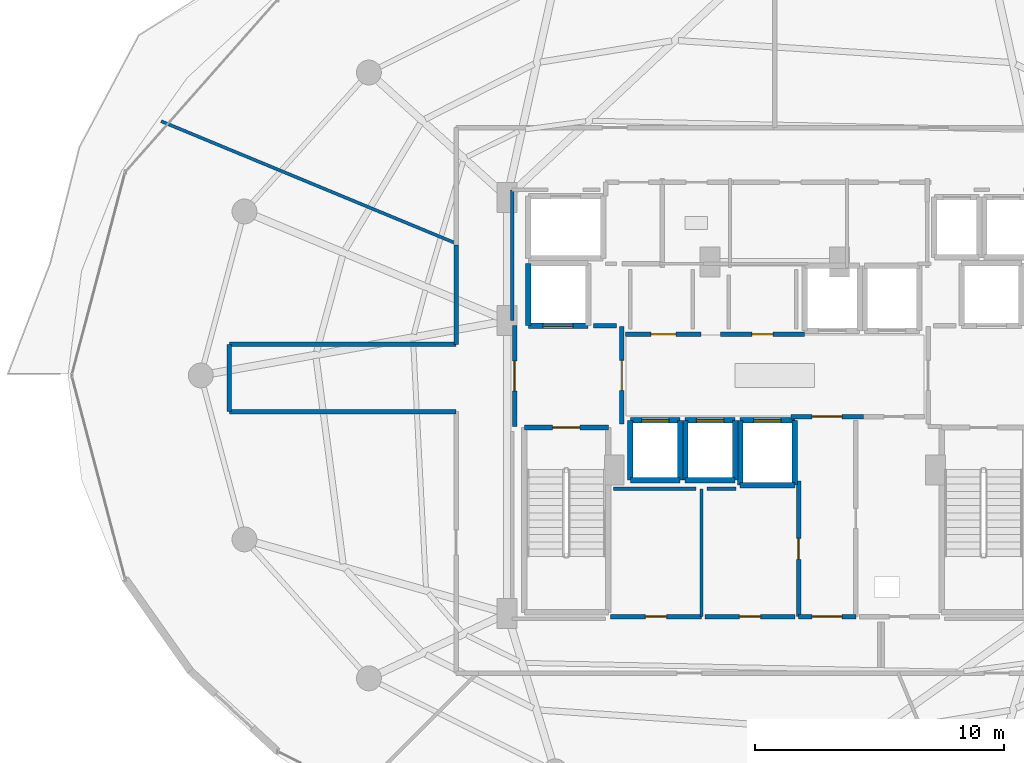
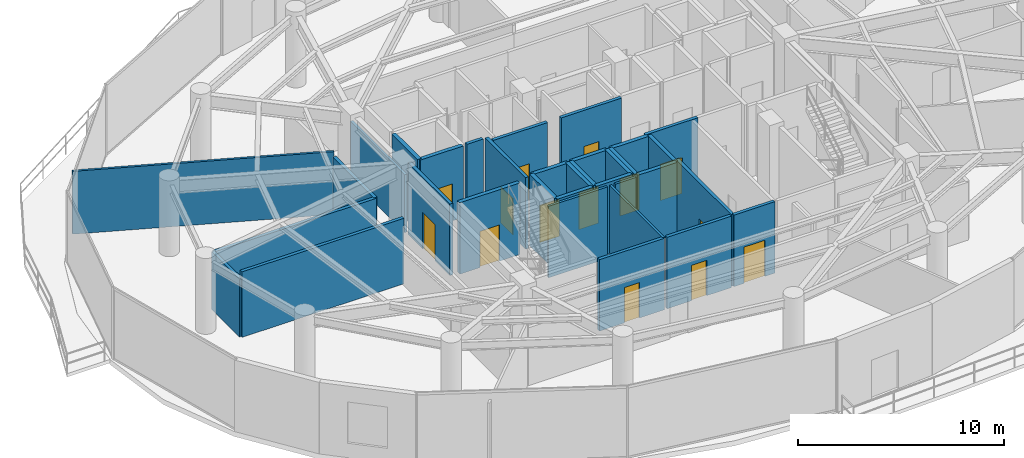
# One storey, part 24 of 31: 34 walls, 14 doors, 14 openings.
"""IFC4 building model written with IfcOpenShell, lengths in metres."""

from ifc_helpers import new_model, si_unit, direction, frame, frame_2d, origin, place, context, subcontext, project, spatial, rectangle, extrude, material, layer, layer_set, type_object, element, fill, save


model = new_model("IFC4")

# Units and contexts
model_context = context("Model", 3, precision=1e-05, world=origin(), true_north=direction((0.0, 1.0)))
body_context = subcontext(model_context, "Body", "Model", "MODEL_VIEW")
ifc_project = project(units=[si_unit("LENGTHUNIT", "METRE"), si_unit("AREAUNIT", "SQUARE_METRE"), si_unit("VOLUMEUNIT", "CUBIC_METRE"), si_unit("PLANEANGLEUNIT", "RADIAN"), si_unit("MASSUNIT", "GRAM", prefix="KILO")], contexts=[model_context])

# Site, building, storey
site_placement = place(None, origin())
site = spatial("IfcSite", under=ifc_project, at=site_placement, CompositionType="ELEMENT")
building_placement = place(site_placement, origin())
building = spatial("IfcBuilding", under=site, at=building_placement, Name="Vorneva Point Tower", CompositionType="ELEMENT")
storey_placement = place(building_placement, frame((0.0, 0.0, 174.60009765625)))
storey = spatial("IfcBuildingStorey", under=building, at=storey_placement, Name="L47", CompositionType="ELEMENT", Elevation=174.60009765625)

# Wall, opening, door
ifc_material_1 = material(Name="Concrete B60 (C50/60)", Category="concrete")
ifc_layer_1 = layer(ifc_material_1, 0.5)
ifc_layer_set_1 = layer_set([ifc_layer_1], Name="Concrete B60 (C50/60)")
wall_type_1 = type_object("IfcWallType", Name="WL-CORE-500", PredefinedType="SHEAR", material=ifc_layer_set_1)
wall_1_placement = place(storey_placement, frame((28.10009765625, 28.0, 0.0), z_axis=(0.0, 0.0, 1.0), x_axis=(1.0, 0.0, 0.0)))
wall_1 = element("IfcWall", 1, at=wall_1_placement, inside=storey, type_object=wall_type_1, Name="L47 Lift FFL1 Shaft Wall -Y", PredefinedType="SHEAR", context=body_context, shape_type="SweptSolid", body=[
    extrude(rectangle(XDim=2.39990234375, YDim=0.219970703125, at=frame_2d((1.199951171875, 0.0))), origin(), (0.0, 0.0, 1.0), 4.239990234375),
])
opening_1_placement = place(wall_1_placement, frame((0.60009765625, 0.0, 0.0)))
opening_1 = element("IfcOpeningElement", 2, at=opening_1_placement, cuts=wall_1, Name="Opening LD-02", PredefinedType="OPENING", context=body_context, shape_type="SweptSolid", body=[
    extrude(rectangle(XDim=1.199951171875, YDim=2.199951171875, at=frame_2d((0.60009765625, 1.10009765625))), frame((0.0, 0.125, 0.0), z_axis=(0.0, -1.0, 0.0), x_axis=(1.0, 0.0, 0.0)), (0.0, 0.0, 1.0), 0.249755859375),
])
ifc_material_2 = material(Name="Brushed stainless steel S304", Category="steel")
door_type_1 = type_object("IfcDoorType", Name="LD-FIRE-1200", OperationType="SLIDING_TO_LEFT", PredefinedType="DOOR", material=ifc_material_2)
door_1_placement = place(opening_1_placement, origin())
door_1 = element("IfcDoor", 3, at=door_1_placement, inside=storey, type_object=door_type_1, Name="L47 Lift FFL1 Sliding Landing Door", OperationType="SLIDING_TO_LEFT", OverallHeight=2.199951171875, OverallWidth=1.199951171875, PredefinedType="DOOR", context=body_context, shape_type="SweptSolid", body=[
    extrude(rectangle(XDim=1.199951171875, YDim=2.199951171875, at=frame_2d((0.60009765625, 1.10009765625))), frame((0.0, 0.02490234375, 0.0), z_axis=(0.0, -1.0, 0.0), x_axis=(1.0, 0.0, 0.0)), (0.0, 0.0, 1.0), 0.050048828125),
])
fill(opening_1, door_1)

# Walls
wall_2_placement = place(storey_placement, frame((28.10009765625, 30.5, 0.0), z_axis=(0.0, 0.0, 1.0), x_axis=(0.0, -1.0, 0.0)))
element("IfcWall", 4, at=wall_2_placement, inside=storey, type_object=wall_type_1, Name="L47 Lift FFL1 Shaft Wall -X", PredefinedType="SHEAR", context=body_context, shape_type="SweptSolid", body=[
    extrude(rectangle(XDim=2.5, YDim=0.219970703125, at=frame_2d((1.25, 0.0))), origin(), (0.0, 0.0, 1.0), 4.239990234375),
])
ifc_material_3 = material(Name="Fire-rated acoustic gypsum stud partition", Category="gypsum")
ifc_layer_2 = layer(ifc_material_3, 0.125)
ifc_layer_set_2 = layer_set([ifc_layer_2], Name="Fire-rated acoustic gypsum stud partition")
wall_type_2 = type_object("IfcWallType", Name="WL-PART-125", PredefinedType="PARTITIONING", material=ifc_layer_set_2)
wall_3_placement = place(storey_placement, frame((35.050048828125, 16.320068359375, 0.0), z_axis=(0.0, 0.0, 1.0), x_axis=(0.0, 1.0, 0.0)))
element("IfcWall", 5, at=wall_3_placement, inside=storey, type_object=wall_type_2, Name="L47 Interior Partition 026", PredefinedType="PARTITIONING", context=body_context, shape_type="SweptSolid", body=[
    extrude(rectangle(XDim=5.1298828125, YDim=0.125, at=frame_2d((2.56494140625, 0.0))), origin(), (0.0, 0.0, 1.0), 4.239990234375),
])
wall_4_placement = place(storey_placement, frame((13.360107421875, 36.2060546875, 0.0), z_axis=(0.0, 0.0, 1.0), x_axis=(0.923884253459, -0.382672034791, 0.0)))
element("IfcWall", 6, at=wall_4_placement, inside=storey, type_object=wall_type_2, Name="L47 Interior Partition 049", PredefinedType="PARTITIONING", context=body_context, shape_type="SweptSolid", body=[
    extrude(rectangle(XDim=12.815185546875, YDim=0.125, at=frame_2d((6.40771484375, 0.0))), origin(), (0.0, 0.0, 1.0), 3.727783203125),
])
ifc_layer_3 = layer(ifc_material_3, 0.139892578125)
ifc_layer_set_3 = layer_set([ifc_layer_3], Name="Fire-rated acoustic gypsum stud partition")
wall_type_3 = type_object("IfcWallType", Name="WL-PART-140", PredefinedType="PARTITIONING", material=ifc_layer_set_3)
wall_5_placement = place(storey_placement, frame((34.830078125, 21.449951171875, 0.0), z_axis=(0.0, 0.0, 1.0), x_axis=(-1.0, 0.0, 0.0)))
element("IfcWall", 7, at=wall_5_placement, inside=storey, type_object=wall_type_3, Name="L47 Interior Closure Partition 059", PredefinedType="PARTITIONING", context=body_context, shape_type="SweptSolid", body=[
    extrude(rectangle(XDim=3.300048828125, YDim=0.139892578125, at=frame_2d((1.64990234375, 0.0))), origin(), (0.0, 0.0, 1.0), 4.239990234375),
])
wall_6_placement = place(storey_placement, frame((36.43896484375, 21.449951171875, 0.0), z_axis=(0.0, 0.0, 1.0), x_axis=(-1.0, 0.0, 0.0)))
element("IfcWall", 8, at=wall_6_placement, inside=storey, type_object=wall_type_3, Name="L47 Interior Closure Partition 060", PredefinedType="PARTITIONING", context=body_context, shape_type="SweptSolid", body=[
    extrude(rectangle(XDim=1.158935546875, YDim=0.139892578125, at=frame_2d((0.57958984375, 0.0))), origin(), (0.0, 0.0, 1.0), 4.239990234375),
])
wall_7_placement = place(storey_placement, frame((27.449951171875, 33.449951171875, 0.0), z_axis=(0.0, 0.0, 1.0), x_axis=(0.0, -1.0, 0.0)))
element("IfcWall", 9, at=wall_7_placement, inside=storey, type_object=wall_type_3, Name="L47 Interior Closure Partition 071", PredefinedType="PARTITIONING", context=body_context, shape_type="SweptSolid", body=[
    extrude(rectangle(XDim=5.25390625, YDim=0.139892578125, at=frame_2d((2.626953125, 0.0))), origin(), (0.0, 0.0, 1.0), 3.431884765625),
])

# Wall, opening, door
ifc_material_4 = material(Name="Autoclaved aerated concrete blockwork", Category="masonry")
ifc_layer_4 = layer(ifc_material_4, 0.179931640625)
ifc_layer_set_4 = layer_set([ifc_layer_4], Name="Autoclaved aerated concrete blockwork")
wall_type_4 = type_object("IfcWallType", Name="WL-PART-180", PredefinedType="PARTITIONING", material=ifc_layer_set_4)
wall_8_placement = place(storey_placement, frame((31.85009765625, 24.044921875, 0.0), z_axis=(0.0, 0.0, 1.0), x_axis=(0.0, 1.0, 0.0)))
wall_8 = element("IfcWall", 10, at=wall_8_placement, inside=storey, type_object=wall_type_4, Name="L47 Interior Partition 001", PredefinedType="PARTITIONING", context=body_context, shape_type="SweptSolid", body=[
    extrude(rectangle(XDim=3.91015625, YDim=0.179931640625, at=frame_2d((1.955078125, 0.0))), origin(), (0.0, 0.0, 1.0), 4.239990234375),
])
opening_2_placement = place(wall_8_placement, frame((1.35498046875, 0.0, 0.0)))
opening_2 = element("IfcOpeningElement", 11, at=opening_2_placement, cuts=wall_8, Name="Opening FD-02", PredefinedType="OPENING", context=body_context, shape_type="SweptSolid", body=[
    extrude(rectangle(XDim=1.199951171875, YDim=2.14990234375, at=frame_2d((0.60009765625, 1.074951171875))), frame((0.0, 0.10498046875, 0.0), z_axis=(0.0, -1.0, 0.0), x_axis=(1.0, 0.0, 0.0)), (0.0, 0.0, 1.0), 0.209716796875),
])
ifc_material_5 = material(Name="Fire-rated powder-coated steel", Category="steel")
door_type_2 = type_object("IfcDoorType", Name="DR-FFL-1200", OperationType="NOTDEFINED", PredefinedType="DOOR", material=ifc_material_5)
door_2_placement = place(opening_2_placement, origin())
door_2 = element("IfcDoor", 12, at=door_2_placement, inside=storey, type_object=door_type_2, Name="L47 Door West Firefighting Lobby / Central Lift Lobby", OperationType="SINGLE_SWING_LEFT", OverallHeight=2.14990234375, OverallWidth=1.199951171875, PredefinedType="DOOR", context=body_context, shape_type="SweptSolid", body=[
    extrude(rectangle(XDim=1.199951171875, YDim=2.14990234375, at=frame_2d((0.60009765625, 1.074951171875))), frame((0.0, 0.02490234375, 0.0), z_axis=(0.0, -1.0, 0.0), x_axis=(1.0, 0.0, 0.0)), (0.0, 0.0, 1.0), 0.050048828125),
])
fill(opening_2, door_2)

wall_9_placement = place(storey_placement, frame((27.550048828125, 28.0, 0.0), z_axis=(0.0, 0.0, 1.0), x_axis=(0.0, -1.0, 0.0)))
wall_9 = element("IfcWall", 13, at=wall_9_placement, inside=storey, type_object=wall_type_4, Name="L47 Interior Partition 002", PredefinedType="PARTITIONING", context=body_context, shape_type="SweptSolid", body=[
    extrude(rectangle(XDim=4.050048828125, YDim=0.179931640625, at=frame_2d((2.02490234375, 0.0))), origin(), (0.0, 0.0, 1.0), 4.239990234375),
])
opening_3_placement = place(wall_9_placement, frame((1.425048828125, 0.0, 0.0)))
opening_3 = element("IfcOpeningElement", 14, at=opening_3_placement, cuts=wall_9, Name="Opening FD-02", PredefinedType="OPENING", context=body_context, shape_type="SweptSolid", body=[
    extrude(rectangle(XDim=1.199951171875, YDim=2.14990234375, at=frame_2d((0.60009765625, 1.074951171875))), frame((0.0, 0.10498046875, 0.0), z_axis=(0.0, -1.0, 0.0), x_axis=(1.0, 0.0, 0.0)), (0.0, 0.0, 1.0), 0.209716796875),
])
door_3_placement = place(opening_3_placement, origin())
door_3 = element("IfcDoor", 15, at=door_3_placement, inside=storey, type_object=door_type_2, Name="L47 Door West Firefighting Lobby / L47 Circulation Corridor", OperationType="SINGLE_SWING_RIGHT", OverallHeight=2.14990234375, OverallWidth=1.199951171875, PredefinedType="DOOR", context=body_context, shape_type="SweptSolid", body=[
    extrude(rectangle(XDim=1.199951171875, YDim=2.14990234375, at=frame_2d((0.60009765625, 1.074951171875))), frame((0.0, 0.02490234375, 0.0), z_axis=(0.0, -1.0, 0.0), x_axis=(1.0, 0.0, 0.0)), (0.0, 0.0, 1.0), 0.050048828125),
])
fill(opening_3, door_3)

wall_10_placement = place(storey_placement, frame((38.64501953125, 24.35009765625, 0.0), z_axis=(0.0, 0.0, 1.0), x_axis=(1.0, 0.0, 0.0)))
wall_10 = element("IfcWall", 16, at=wall_10_placement, inside=storey, type_object=wall_type_4, Name="L47 Interior Partition 010", PredefinedType="PARTITIONING", context=body_context, shape_type="SweptSolid", body=[
    extrude(rectangle(XDim=2.909912109375, YDim=0.179931640625, at=frame_2d((1.455078125, 0.0))), origin(), (0.0, 0.0, 1.0), 4.239990234375),
])
opening_4_placement = place(wall_10_placement, frame((0.85498046875, 0.0, 0.0)))
opening_4 = element("IfcOpeningElement", 17, at=opening_4_placement, cuts=wall_10, Name="Opening FD-02", PredefinedType="OPENING", context=body_context, shape_type="SweptSolid", body=[
    extrude(rectangle(XDim=1.199951171875, YDim=2.14990234375, at=frame_2d((0.60009765625, 1.074951171875))), frame((0.0, 0.10498046875, 0.0), z_axis=(0.0, -1.0, 0.0), x_axis=(1.0, 0.0, 0.0)), (0.0, 0.0, 1.0), 0.209716796875),
])
door_4_placement = place(opening_4_placement, origin())
door_4 = element("IfcDoor", 18, at=door_4_placement, inside=storey, type_object=door_type_2, Name="L47 Door Central Lift Lobby / Core Service Lobby", OperationType="SINGLE_SWING_RIGHT", OverallHeight=2.14990234375, OverallWidth=1.199951171875, PredefinedType="DOOR", context=body_context, shape_type="SweptSolid", body=[
    extrude(rectangle(XDim=1.199951171875, YDim=2.14990234375, at=frame_2d((0.60009765625, 1.074951171875))), frame((0.0, 0.02490234375, 0.0), z_axis=(0.0, -1.0, 0.0), x_axis=(1.0, 0.0, 0.0)), (0.0, 0.0, 1.0), 0.050048828125),
])
fill(opening_4, door_4)

wall_11_placement = place(storey_placement, frame((35.0400390625, 27.64990234375, 0.0), z_axis=(0.0, 0.0, 1.0), x_axis=(-1.0, 0.0, 0.0)))
wall_11 = element("IfcWall", 19, at=wall_11_placement, inside=storey, type_object=wall_type_4, Name="L47 Interior Partition 012", PredefinedType="PARTITIONING", context=body_context, shape_type="SweptSolid", body=[
    extrude(rectangle(XDim=3.0400390625, YDim=0.179931640625, at=frame_2d((1.52001953125, 0.0))), origin(), (0.0, 0.0, 1.0), 4.239990234375),
])
opening_5_placement = place(wall_11_placement, frame((1.02001953125, 0.0, 0.0)))
opening_5 = element("IfcOpeningElement", 20, at=opening_5_placement, cuts=wall_11, Name="Opening UD-01", PredefinedType="OPENING", context=body_context, shape_type="SweptSolid", body=[
    extrude(rectangle(XDim=1.0, YDim=2.14990234375, at=frame_2d((0.5, 1.074951171875))), frame((0.0, 0.10498046875, 0.0), z_axis=(0.0, -1.0, 0.0), x_axis=(1.0, 0.0, 0.0)), (0.0, 0.0, 1.0), 0.209716796875),
])
ifc_material_6 = material(Name="Engineered oak fire-rated door leaf", Category="wood")
door_type_3 = type_object("IfcDoorType", Name="DR-UNIT-1000", OperationType="NOTDEFINED", PredefinedType="DOOR", material=ifc_material_6)
door_5_placement = place(opening_5_placement, origin())
door_5 = element("IfcDoor", 21, at=door_5_placement, inside=storey, type_object=door_type_3, Name="L47 Door Central Lift Lobby / Reclaimed Core Lounge", OperationType="SINGLE_SWING_RIGHT", OverallHeight=2.14990234375, OverallWidth=1.0, PredefinedType="DOOR", context=body_context, shape_type="SweptSolid", body=[
    extrude(rectangle(XDim=1.0, YDim=2.14990234375, at=frame_2d((0.5, 1.074951171875))), frame((0.0, 0.02490234375, 0.0), z_axis=(0.0, -1.0, 0.0), x_axis=(1.0, 0.0, 0.0)), (0.0, 0.0, 1.0), 0.050048828125),
])
fill(opening_5, door_5)

wall_12_placement = place(storey_placement, frame((39.18994140625, 27.64990234375, 0.0), z_axis=(0.0, 0.0, 1.0), x_axis=(-1.0, 0.0, 0.0)))
wall_12 = element("IfcWall", 22, at=wall_12_placement, inside=storey, type_object=wall_type_4, Name="L47 Interior Partition 013", PredefinedType="PARTITIONING", context=body_context, shape_type="SweptSolid", body=[
    extrude(rectangle(XDim=3.3798828125, YDim=0.179931640625, at=frame_2d((1.68994140625, 0.0))), origin(), (0.0, 0.0, 1.0), 4.239990234375),
])
opening_6_placement = place(wall_12_placement, frame((1.264892578125, 0.0, 0.0)))
opening_6 = element("IfcOpeningElement", 23, at=opening_6_placement, cuts=wall_12, Name="Opening ID-02", PredefinedType="OPENING", context=body_context, shape_type="SweptSolid", body=[
    extrude(rectangle(XDim=0.85009765625, YDim=2.10009765625, at=frame_2d((0.425048828125, 1.050048828125))), frame((0.0, 0.10498046875, 0.0), z_axis=(0.0, -1.0, 0.0), x_axis=(1.0, 0.0, 0.0)), (0.0, 0.0, 1.0), 0.209716796875),
])
door_type_4 = type_object("IfcDoorType", Name="DR-BATH-850", OperationType="NOTDEFINED", PredefinedType="DOOR", material=ifc_material_6)
door_6_placement = place(opening_6_placement, origin())
door_6 = element("IfcDoor", 24, at=door_6_placement, inside=storey, type_object=door_type_4, Name="L47 Door Central Lift Lobby / Reclaimed Core Archive Store", OperationType="SINGLE_SWING_LEFT", OverallHeight=2.10009765625, OverallWidth=0.85009765625, PredefinedType="DOOR", context=body_context, shape_type="SweptSolid", body=[
    extrude(rectangle(XDim=0.85009765625, YDim=2.10009765625, at=frame_2d((0.425048828125, 1.050048828125))), frame((0.0, 0.02490234375, 0.0), z_axis=(0.0, -1.0, 0.0), x_axis=(1.0, 0.0, 0.0)), (0.0, 0.0, 1.0), 0.050048828125),
])
fill(opening_6, door_6)

wall_13_placement = place(storey_placement, frame((38.949951171875, 21.7548828125, 0.0), z_axis=(0.0, 0.0, 1.0), x_axis=(0.0, -1.0, 0.0)))
wall_13 = element("IfcWall", 25, at=wall_13_placement, inside=storey, type_object=wall_type_4, Name="L47 Interior Partition 015", PredefinedType="PARTITIONING", context=body_context, shape_type="SweptSolid", body=[
    extrude(rectangle(XDim=5.434814453125, YDim=0.179931640625, at=frame_2d((2.71728515625, 0.0))), origin(), (0.0, 0.0, 1.0), 4.239990234375),
])
opening_7_placement = place(wall_13_placement, frame((2.29248046875, 0.0, 0.0)))
opening_7 = element("IfcOpeningElement", 26, at=opening_7_placement, cuts=wall_13, Name="Opening ID-02", PredefinedType="OPENING", context=body_context, shape_type="SweptSolid", body=[
    extrude(rectangle(XDim=0.85009765625, YDim=2.10009765625, at=frame_2d((0.425048828125, 1.050048828125))), frame((0.0, 0.10498046875, 0.0), z_axis=(0.0, -1.0, 0.0), x_axis=(1.0, 0.0, 0.0)), (0.0, 0.0, 1.0), 0.209716796875),
])
door_7_placement = place(opening_7_placement, origin())
door_7 = element("IfcDoor", 27, at=door_7_placement, inside=storey, type_object=door_type_4, Name="L47 Door Core Service Lobby / Tenant Equipment Store", OperationType="SINGLE_SWING_LEFT", OverallHeight=2.10009765625, OverallWidth=0.85009765625, PredefinedType="DOOR", context=body_context, shape_type="SweptSolid", body=[
    extrude(rectangle(XDim=0.85009765625, YDim=2.10009765625, at=frame_2d((0.425048828125, 1.050048828125))), frame((0.0, 0.02490234375, 0.0), z_axis=(0.0, -1.0, 0.0), x_axis=(1.0, 0.0, 0.0)), (0.0, 0.0, 1.0), 0.050048828125),
])
fill(opening_7, door_7)

wall_14_placement = place(storey_placement, frame((38.949951171875, 16.320068359375, 0.0), z_axis=(0.0, 0.0, 1.0), x_axis=(1.0, 0.0, 0.0)))
wall_14 = element("IfcWall", 28, at=wall_14_placement, inside=storey, type_object=wall_type_4, Name="L47 Interior Partition 016", PredefinedType="PARTITIONING", context=body_context, shape_type="SweptSolid", body=[
    extrude(rectangle(XDim=2.300048828125, YDim=0.179931640625, at=frame_2d((1.14990234375, 0.0))), origin(), (0.0, 0.0, 1.0), 4.239990234375),
])
opening_8_placement = place(wall_14_placement, frame((0.550048828125, 0.0, 0.0)))
opening_8 = element("IfcOpeningElement", 29, at=opening_8_placement, cuts=wall_14, Name="Opening FD-02", PredefinedType="OPENING", context=body_context, shape_type="SweptSolid", body=[
    extrude(rectangle(XDim=1.199951171875, YDim=2.14990234375, at=frame_2d((0.60009765625, 1.074951171875))), frame((0.0, 0.10498046875, 0.0), z_axis=(0.0, -1.0, 0.0), x_axis=(1.0, 0.0, 0.0)), (0.0, 0.0, 1.0), 0.209716796875),
])
door_8_placement = place(opening_8_placement, origin())
door_8 = element("IfcDoor", 30, at=door_8_placement, inside=storey, type_object=door_type_2, Name="L47 Door Core Service Lobby / L47 Circulation Corridor", OperationType="SINGLE_SWING_RIGHT", OverallHeight=2.14990234375, OverallWidth=1.199951171875, PredefinedType="DOOR", context=body_context, shape_type="SweptSolid", body=[
    extrude(rectangle(XDim=1.199951171875, YDim=2.14990234375, at=frame_2d((0.60009765625, 1.074951171875))), frame((0.0, 0.02490234375, 0.0), z_axis=(0.0, -1.0, 0.0), x_axis=(1.0, 0.0, 0.0)), (0.0, 0.0, 1.0), 0.050048828125),
])
fill(opening_8, door_8)

wall_15_placement = place(storey_placement, frame((31.39990234375, 16.320068359375, 0.0), z_axis=(0.0, 0.0, 1.0), x_axis=(1.0, 0.0, 0.0)))
wall_15 = element("IfcWall", 31, at=wall_15_placement, inside=storey, type_object=wall_type_4, Name="L47 Interior Partition 027", PredefinedType="PARTITIONING", context=body_context, shape_type="SweptSolid", body=[
    extrude(rectangle(XDim=3.650146484375, YDim=0.179931640625, at=frame_2d((1.8251953125, 0.0))), origin(), (0.0, 0.0, 1.0), 4.239990234375),
])
opening_9_placement = place(wall_15_placement, frame((1.39990234375, 0.0, 0.0)))
opening_9 = element("IfcOpeningElement", 32, at=opening_9_placement, cuts=wall_15, Name="Opening ID-02", PredefinedType="OPENING", context=body_context, shape_type="SweptSolid", body=[
    extrude(rectangle(XDim=0.85009765625, YDim=2.10009765625, at=frame_2d((0.425048828125, 1.050048828125))), frame((0.0, 0.10498046875, 0.0), z_axis=(0.0, -1.0, 0.0), x_axis=(1.0, 0.0, 0.0)), (0.0, 0.0, 1.0), 0.209716796875),
])
door_9_placement = place(opening_9_placement, origin())
door_9 = element("IfcDoor", 33, at=door_9_placement, inside=storey, type_object=door_type_4, Name="L47 Door Cleaners Store / L47 Circulation Corridor", OperationType="SINGLE_SWING_LEFT", OverallHeight=2.10009765625, OverallWidth=0.85009765625, PredefinedType="DOOR", context=body_context, shape_type="SweptSolid", body=[
    extrude(rectangle(XDim=0.85009765625, YDim=2.10009765625, at=frame_2d((0.425048828125, 1.050048828125))), frame((0.0, 0.02490234375, 0.0), z_axis=(0.0, -1.0, 0.0), x_axis=(1.0, 0.0, 0.0)), (0.0, 0.0, 1.0), 0.050048828125),
])
fill(opening_9, door_9)

wall_16_placement = place(storey_placement, frame((35.199951171875, 16.320068359375, 0.0), z_axis=(0.0, 0.0, 1.0), x_axis=(1.0, 0.0, 0.0)))
wall_16 = element("IfcWall", 34, at=wall_16_placement, inside=storey, type_object=wall_type_4, Name="L47 Interior Partition 028", PredefinedType="PARTITIONING", context=body_context, shape_type="SweptSolid", body=[
    extrude(rectangle(XDim=3.60009765625, YDim=0.179931640625, at=frame_2d((1.800048828125, 0.0))), origin(), (0.0, 0.0, 1.0), 4.239990234375),
])
opening_10_placement = place(wall_16_placement, frame((1.375, 0.0, 0.0)))
opening_10 = element("IfcOpeningElement", 35, at=opening_10_placement, cuts=wall_16, Name="Opening ID-02", PredefinedType="OPENING", context=body_context, shape_type="SweptSolid", body=[
    extrude(rectangle(XDim=0.85009765625, YDim=2.10009765625, at=frame_2d((0.425048828125, 1.050048828125))), frame((0.0, 0.10498046875, 0.0), z_axis=(0.0, -1.0, 0.0), x_axis=(1.0, 0.0, 0.0)), (0.0, 0.0, 1.0), 0.209716796875),
])
door_10_placement = place(opening_10_placement, origin())
door_10 = element("IfcDoor", 36, at=door_10_placement, inside=storey, type_object=door_type_4, Name="L47 Door Tenant Equipment Store / L47 Circulation Corridor", OperationType="SINGLE_SWING_RIGHT", OverallHeight=2.10009765625, OverallWidth=0.85009765625, PredefinedType="DOOR", context=body_context, shape_type="SweptSolid", body=[
    extrude(rectangle(XDim=0.85009765625, YDim=2.10009765625, at=frame_2d((0.425048828125, 1.050048828125))), frame((0.0, 0.02490234375, 0.0), z_axis=(0.0, -1.0, 0.0), x_axis=(1.0, 0.0, 0.0)), (0.0, 0.0, 1.0), 0.050048828125),
])
fill(opening_10, door_10)

# Walls
wall_17_placement = place(storey_placement, frame((16.10009765625, 27.25, 0.0), z_axis=(0.0, 0.0, 1.0), x_axis=(0.0, -1.0, 0.0)))
element("IfcWall", 37, at=wall_17_placement, inside=storey, type_object=wall_type_4, Name="L47 Interior Partition 033", PredefinedType="PARTITIONING", context=body_context, shape_type="SweptSolid", body=[
    extrude(rectangle(XDim=2.699951171875, YDim=0.179931640625, at=frame_2d((1.35009765625, 0.0))), origin(), (0.0, 0.0, 1.0), 3.431884765625),
])
wall_18_placement = place(storey_placement, frame((16.10009765625, 24.550048828125, 0.0), z_axis=(0.0, 0.0, 1.0), x_axis=(1.0, 0.0, 0.0)))
element("IfcWall", 38, at=wall_18_placement, inside=storey, type_object=wall_type_4, Name="L47 Interior Partition 034", PredefinedType="PARTITIONING", context=body_context, shape_type="SweptSolid", body=[
    extrude(rectangle(XDim=9.099853515625, YDim=0.179931640625, at=frame_2d((4.5498046875, 0.0))), origin(), (0.0, 0.0, 1.0), 3.885986328125),
])
wall_19_placement = place(storey_placement, frame((25.199951171875, 31.241943359375, 0.0), z_axis=(0.0, 0.0, 1.0), x_axis=(0.0, -1.0, 0.0)))
element("IfcWall", 39, at=wall_19_placement, inside=storey, type_object=wall_type_4, Name="L47 Interior Partition 037", PredefinedType="PARTITIONING", context=body_context, shape_type="SweptSolid", body=[
    extrude(rectangle(XDim=3.991943359375, YDim=0.179931640625, at=frame_2d((1.99609375, 0.0))), origin(), (0.0, 0.0, 1.0), 3.431884765625),
])
wall_20_placement = place(storey_placement, frame((25.199951171875, 27.25, 0.0), z_axis=(0.0, 0.0, 1.0), x_axis=(-1.0, 0.0, 0.0)))
element("IfcWall", 40, at=wall_20_placement, inside=storey, type_object=wall_type_4, Name="L47 Interior Partition 038", PredefinedType="PARTITIONING", context=body_context, shape_type="SweptSolid", body=[
    extrude(rectangle(XDim=9.099853515625, YDim=0.179931640625, at=frame_2d((4.5498046875, 0.0))), origin(), (0.0, 0.0, 1.0), 3.431884765625),
])
wall_21_placement = place(storey_placement, frame((31.635009765625, 28.0, 0.0), z_axis=(0.0, 0.0, 1.0), x_axis=(-1.0, 0.0, 0.0)))
element("IfcWall", 41, at=wall_21_placement, inside=storey, type_object=wall_type_4, Name="L47 Interior Closure Partition 053", PredefinedType="PARTITIONING", context=body_context, shape_type="SweptSolid", body=[
    extrude(rectangle(XDim=0.9150390625, YDim=0.179931640625, at=frame_2d((0.45751953125, 0.0))), origin(), (0.0, 0.0, 1.0), 4.239990234375),
])

# Wall, opening, door
ifc_material_7 = material(Name="Concrete B50 (C40/50)", Category="concrete")
ifc_layer_5 = layer(ifc_material_7, 0.219970703125)
ifc_layer_set_5 = layer_set([ifc_layer_5], Name="Concrete B50 (C40/50)")
wall_type_5 = type_object("IfcWallType", Name="WL-SHFT-220", PredefinedType="SOLIDWALL", material=ifc_layer_set_5)
wall_22_placement = place(storey_placement, frame((27.93994140625, 23.909912109375, 0.0), z_axis=(0.0, 0.0, 1.0), x_axis=(1.0, 0.0, 0.0)))
wall_22 = element("IfcWall", 42, at=wall_22_placement, inside=storey, type_object=wall_type_5, Name="L47 Exit Stair ST1 Shaft Wall near", PredefinedType="SOLIDWALL", context=body_context, shape_type="SweptSolid", body=[
    extrude(rectangle(XDim=3.3701171875, YDim=0.219970703125, at=frame_2d((1.68505859375, 0.0))), origin(), (0.0, 0.0, 1.0), 4.239990234375),
])
opening_11_placement = place(wall_22_placement, frame((1.135009765625, 0.0, 0.0)))
opening_11 = element("IfcOpeningElement", 43, at=opening_11_placement, cuts=wall_22, Name="Opening FD-01", PredefinedType="OPENING", context=body_context, shape_type="SweptSolid", body=[
    extrude(rectangle(XDim=1.10009765625, YDim=2.14990234375, at=frame_2d((0.550048828125, 1.074951171875))), frame((0.0, 0.125, 0.0), z_axis=(0.0, -1.0, 0.0), x_axis=(1.0, 0.0, 0.0)), (0.0, 0.0, 1.0), 0.249755859375),
])
door_type_5 = type_object("IfcDoorType", Name="DR-STAIR-1100", OperationType="NOTDEFINED", PredefinedType="DOOR", material=ifc_material_5)
door_11_placement = place(opening_11_placement, origin())
door_11 = element("IfcDoor", 44, at=door_11_placement, inside=storey, type_object=door_type_5, Name="L47 Exit Stair ST1 Fire Door", OperationType="SINGLE_SWING_LEFT", OverallHeight=2.14990234375, OverallWidth=1.10009765625, PredefinedType="DOOR", context=body_context, shape_type="SweptSolid", body=[
    extrude(rectangle(XDim=1.10009765625, YDim=2.14990234375, at=frame_2d((0.550048828125, 1.074951171875))), frame((0.0, 0.02490234375, 0.0), z_axis=(0.0, -1.0, 0.0), x_axis=(1.0, 0.0, 0.0)), (0.0, 0.0, 1.0), 0.050048828125),
])
fill(opening_11, door_11)

# Walls
wall_23_placement = place(storey_placement, frame((32.199951171875, 21.800048828125, 0.0), z_axis=(0.0, 0.0, 1.0), x_axis=(1.0, 0.0, 0.0)))
element("IfcWall", 45, at=wall_23_placement, inside=storey, type_object=wall_type_5, Name="L47 Lift PL4 Shaft Wall -Y", PredefinedType="SOLIDWALL", context=body_context, shape_type="SweptSolid", body=[
    extrude(rectangle(XDim=2.0, YDim=0.219970703125, at=frame_2d((1.0, 0.0))), origin(), (0.0, 0.0, 1.0), 4.239990234375),
])
wall_24_placement = place(storey_placement, frame((34.199951171875, 21.800048828125, 0.0), z_axis=(0.0, 0.0, 1.0), x_axis=(0.0, 1.0, 0.0)))
element("IfcWall", 46, at=wall_24_placement, inside=storey, type_object=wall_type_5, Name="L47 Lift PL4 Shaft Wall +X", PredefinedType="SOLIDWALL", context=body_context, shape_type="SweptSolid", body=[
    extrude(rectangle(XDim=2.39990234375, YDim=0.219970703125, at=frame_2d((1.199951171875, 0.0))), origin(), (0.0, 0.0, 1.0), 4.239990234375),
])

# Wall, opening, door
wall_25_placement = place(storey_placement, frame((34.199951171875, 24.199951171875, 0.0), z_axis=(0.0, 0.0, 1.0), x_axis=(-1.0, 0.0, 0.0)))
wall_25 = element("IfcWall", 47, at=wall_25_placement, inside=storey, type_object=wall_type_5, Name="L47 Lift PL4 Shaft Wall +Y", PredefinedType="SOLIDWALL", context=body_context, shape_type="SweptSolid", body=[
    extrude(rectangle(XDim=2.0, YDim=0.219970703125, at=frame_2d((1.0, 0.0))), origin(), (0.0, 0.0, 1.0), 4.239990234375),
])
opening_12_placement = place(wall_25_placement, frame((0.449951171875, 0.0, 0.0)))
opening_12 = element("IfcOpeningElement", 48, at=opening_12_placement, cuts=wall_25, Name="Opening LD-01", PredefinedType="OPENING", context=body_context, shape_type="SweptSolid", body=[
    extrude(rectangle(XDim=1.10009765625, YDim=2.199951171875, at=frame_2d((0.550048828125, 1.10009765625))), frame((0.0, 0.125, 0.0), z_axis=(0.0, -1.0, 0.0), x_axis=(1.0, 0.0, 0.0)), (0.0, 0.0, 1.0), 0.249755859375),
])
door_type_6 = type_object("IfcDoorType", Name="LD-PASS-1100", OperationType="SLIDING_TO_LEFT", PredefinedType="DOOR", material=ifc_material_2)
door_12_placement = place(opening_12_placement, origin())
door_12 = element("IfcDoor", 49, at=door_12_placement, inside=storey, type_object=door_type_6, Name="L47 Lift PL4 Sliding Landing Door", OperationType="SLIDING_TO_LEFT", OverallHeight=2.199951171875, OverallWidth=1.10009765625, PredefinedType="DOOR", context=body_context, shape_type="SweptSolid", body=[
    extrude(rectangle(XDim=1.10009765625, YDim=2.199951171875, at=frame_2d((0.550048828125, 1.10009765625))), frame((0.0, 0.02490234375, 0.0), z_axis=(0.0, -1.0, 0.0), x_axis=(1.0, 0.0, 0.0)), (0.0, 0.0, 1.0), 0.050048828125),
])
fill(opening_12, door_12)

# Walls
wall_26_placement = place(storey_placement, frame((32.199951171875, 24.199951171875, 0.0), z_axis=(0.0, 0.0, 1.0), x_axis=(0.0, -1.0, 0.0)))
element("IfcWall", 50, at=wall_26_placement, inside=storey, type_object=wall_type_5, Name="L47 Lift PL4 Shaft Wall -X", PredefinedType="SOLIDWALL", context=body_context, shape_type="SweptSolid", body=[
    extrude(rectangle(XDim=2.39990234375, YDim=0.219970703125, at=frame_2d((1.199951171875, 0.0))), origin(), (0.0, 0.0, 1.0), 4.239990234375),
])
wall_27_placement = place(storey_placement, frame((34.39990234375, 21.800048828125, 0.0), z_axis=(0.0, 0.0, 1.0), x_axis=(1.0, 0.0, 0.0)))
element("IfcWall", 51, at=wall_27_placement, inside=storey, type_object=wall_type_5, Name="L47 Lift PL5 Shaft Wall -Y", PredefinedType="SOLIDWALL", context=body_context, shape_type="SweptSolid", body=[
    extrude(rectangle(XDim=2.0, YDim=0.219970703125, at=frame_2d((1.0, 0.0))), origin(), (0.0, 0.0, 1.0), 4.239990234375),
])
wall_28_placement = place(storey_placement, frame((36.39990234375, 21.800048828125, 0.0), z_axis=(0.0, 0.0, 1.0), x_axis=(0.0, 1.0, 0.0)))
element("IfcWall", 52, at=wall_28_placement, inside=storey, type_object=wall_type_5, Name="L47 Lift PL5 Shaft Wall +X", PredefinedType="SOLIDWALL", context=body_context, shape_type="SweptSolid", body=[
    extrude(rectangle(XDim=2.39990234375, YDim=0.219970703125, at=frame_2d((1.199951171875, 0.0))), origin(), (0.0, 0.0, 1.0), 4.239990234375),
])

# Wall, opening, door
wall_29_placement = place(storey_placement, frame((36.39990234375, 24.199951171875, 0.0), z_axis=(0.0, 0.0, 1.0), x_axis=(-1.0, 0.0, 0.0)))
wall_29 = element("IfcWall", 53, at=wall_29_placement, inside=storey, type_object=wall_type_5, Name="L47 Lift PL5 Shaft Wall +Y", PredefinedType="SOLIDWALL", context=body_context, shape_type="SweptSolid", body=[
    extrude(rectangle(XDim=2.0, YDim=0.219970703125, at=frame_2d((1.0, 0.0))), origin(), (0.0, 0.0, 1.0), 4.239990234375),
])
opening_13_placement = place(wall_29_placement, frame((0.449951171875, 0.0, 0.0)))
opening_13 = element("IfcOpeningElement", 54, at=opening_13_placement, cuts=wall_29, Name="Opening LD-01", PredefinedType="OPENING", context=body_context, shape_type="SweptSolid", body=[
    extrude(rectangle(XDim=1.10009765625, YDim=2.199951171875, at=frame_2d((0.550048828125, 1.10009765625))), frame((0.0, 0.125, 0.0), z_axis=(0.0, -1.0, 0.0), x_axis=(1.0, 0.0, 0.0)), (0.0, 0.0, 1.0), 0.249755859375),
])
door_13_placement = place(opening_13_placement, origin())
door_13 = element("IfcDoor", 55, at=door_13_placement, inside=storey, type_object=door_type_6, Name="L47 Lift PL5 Sliding Landing Door", OperationType="SLIDING_TO_LEFT", OverallHeight=2.199951171875, OverallWidth=1.10009765625, PredefinedType="DOOR", context=body_context, shape_type="SweptSolid", body=[
    extrude(rectangle(XDim=1.10009765625, YDim=2.199951171875, at=frame_2d((0.550048828125, 1.10009765625))), frame((0.0, 0.02490234375, 0.0), z_axis=(0.0, -1.0, 0.0), x_axis=(1.0, 0.0, 0.0)), (0.0, 0.0, 1.0), 0.050048828125),
])
fill(opening_13, door_13)

# Walls
wall_30_placement = place(storey_placement, frame((34.39990234375, 24.199951171875, 0.0), z_axis=(0.0, 0.0, 1.0), x_axis=(0.0, -1.0, 0.0)))
element("IfcWall", 56, at=wall_30_placement, inside=storey, type_object=wall_type_5, Name="L47 Lift PL5 Shaft Wall -X", PredefinedType="SOLIDWALL", context=body_context, shape_type="SweptSolid", body=[
    extrude(rectangle(XDim=2.39990234375, YDim=0.219970703125, at=frame_2d((1.199951171875, 0.0))), origin(), (0.0, 0.0, 1.0), 4.239990234375),
])
wall_31_placement = place(storey_placement, frame((36.60009765625, 21.60009765625, 0.0), z_axis=(0.0, 0.0, 1.0), x_axis=(1.0, 0.0, 0.0)))
element("IfcWall", 57, at=wall_31_placement, inside=storey, type_object=wall_type_5, Name="L47 Lift PL6 Shaft Wall -Y", PredefinedType="SOLIDWALL", context=body_context, shape_type="SweptSolid", body=[
    extrude(rectangle(XDim=2.199951171875, YDim=0.219970703125, at=frame_2d((1.10009765625, 0.0))), origin(), (0.0, 0.0, 1.0), 4.239990234375),
])
wall_32_placement = place(storey_placement, frame((38.800048828125, 21.60009765625, 0.0), z_axis=(0.0, 0.0, 1.0), x_axis=(0.0, 1.0, 0.0)))
element("IfcWall", 58, at=wall_32_placement, inside=storey, type_object=wall_type_5, Name="L47 Lift PL6 Shaft Wall +X", PredefinedType="SOLIDWALL", context=body_context, shape_type="SweptSolid", body=[
    extrude(rectangle(XDim=2.599853515625, YDim=0.219970703125, at=frame_2d((1.2998046875, 0.0))), origin(), (0.0, 0.0, 1.0), 4.239990234375),
])

# Wall, opening, door
wall_33_placement = place(storey_placement, frame((38.800048828125, 24.199951171875, 0.0), z_axis=(0.0, 0.0, 1.0), x_axis=(-1.0, 0.0, 0.0)))
wall_33 = element("IfcWall", 59, at=wall_33_placement, inside=storey, type_object=wall_type_5, Name="L47 Lift PL6 Shaft Wall +Y", PredefinedType="SOLIDWALL", context=body_context, shape_type="SweptSolid", body=[
    extrude(rectangle(XDim=2.199951171875, YDim=0.219970703125, at=frame_2d((1.10009765625, 0.0))), origin(), (0.0, 0.0, 1.0), 4.239990234375),
])
opening_14_placement = place(wall_33_placement, frame((0.550048828125, 0.0, 0.0)))
opening_14 = element("IfcOpeningElement", 60, at=opening_14_placement, cuts=wall_33, Name="Opening LD-01", PredefinedType="OPENING", context=body_context, shape_type="SweptSolid", body=[
    extrude(rectangle(XDim=1.10009765625, YDim=2.199951171875, at=frame_2d((0.550048828125, 1.10009765625))), frame((0.0, 0.125, 0.0), z_axis=(0.0, -1.0, 0.0), x_axis=(1.0, 0.0, 0.0)), (0.0, 0.0, 1.0), 0.249755859375),
])
door_14_placement = place(opening_14_placement, origin())
door_14 = element("IfcDoor", 61, at=door_14_placement, inside=storey, type_object=door_type_6, Name="L47 Lift PL6 Sliding Landing Door", OperationType="SLIDING_TO_LEFT", OverallHeight=2.199951171875, OverallWidth=1.10009765625, PredefinedType="DOOR", context=body_context, shape_type="SweptSolid", body=[
    extrude(rectangle(XDim=1.10009765625, YDim=2.199951171875, at=frame_2d((0.550048828125, 1.10009765625))), frame((0.0, 0.02490234375, 0.0), z_axis=(0.0, -1.0, 0.0), x_axis=(1.0, 0.0, 0.0)), (0.0, 0.0, 1.0), 0.050048828125),
])
fill(opening_14, door_14)

# Wall
wall_34_placement = place(storey_placement, frame((36.60009765625, 24.199951171875, 0.0), z_axis=(0.0, 0.0, 1.0), x_axis=(0.0, -1.0, 0.0)))
element("IfcWall", 62, at=wall_34_placement, inside=storey, type_object=wall_type_5, Name="L47 Lift PL6 Shaft Wall -X", PredefinedType="SOLIDWALL", context=body_context, shape_type="SweptSolid", body=[
    extrude(rectangle(XDim=2.599853515625, YDim=0.219970703125, at=frame_2d((1.2998046875, 0.0))), origin(), (0.0, 0.0, 1.0), 4.239990234375),
])

save(model, "model.ifc")
